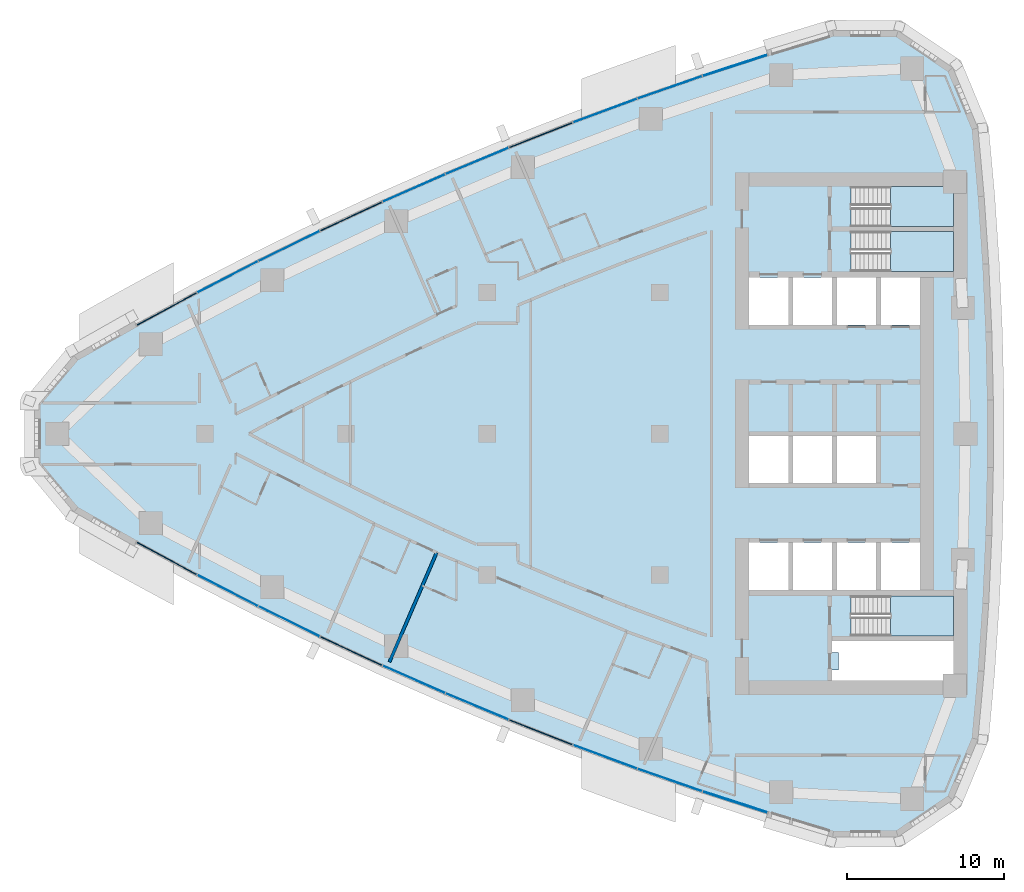
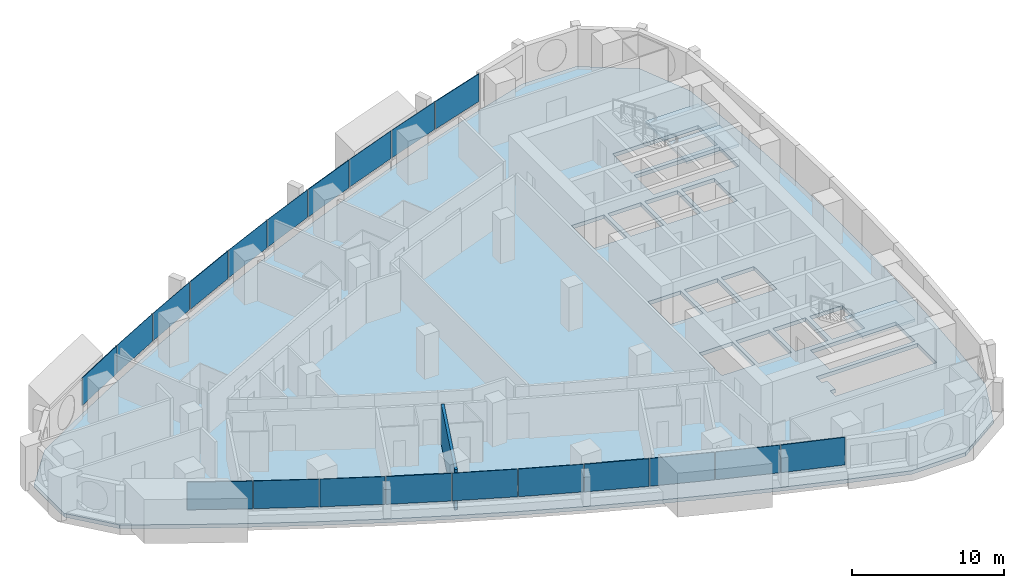
# One storey, part 7 of 17: 20 plates, 4 slabs, 1 wall, 1 opening, 13 elements without a shape of their own.
"""IFC4 building model written with IfcOpenShell, lengths in metres."""

import ifcopenshell
import ifcopenshell.guid

model = None  # the IFC model being written
_history = None  # IfcOwnerHistory: only IFC2X3 demands one
_inside = {}  # id of a spatial element -> (the spatial element, [elements in it])
_under = {}  # id of a project, library or spatial element -> (it, [spatial elements below it])
_declared = {}  # id of a project -> (the project, [libraries it declares])
_typed = {}  # id of a type object -> (the type object, [elements of that type])
_made_of = {}  # id of a material, layer set ... -> (it, [elements and type objects made of it])


def new_model(schema):
    """Start an empty IFC model of exactly this schema.

    Asked for "IFC4X3", IfcOpenShell would pick the latest addendum, in which some entities
    have other attributes; the version numbers below select the first issue.
    IFC2X3 requires an IfcOwnerHistory on every rooted entity: one is made here for all.
    """
    global model, _history
    if schema == "IFC4X3":
        model = ifcopenshell.file(schema_version=(4, 3, 0, 0))
    else:
        model = ifcopenshell.file(schema=schema)
    _inside.clear()
    _under.clear()
    _declared.clear()
    _typed.clear()
    _made_of.clear()
    _history = None
    if model.schema == "IFC2X3":
        org = make("IfcOrganization", Name="unknown")
        user = make(
            "IfcPersonAndOrganization",
            ThePerson=make("IfcPerson", FamilyName="unknown"),
            TheOrganization=org,
        )
        app = make(
            "IfcApplication",
            ApplicationDeveloper=org,
            Version="unknown",
            ApplicationFullName="unknown",
            ApplicationIdentifier="unknown",
        )
        _history = make(
            "IfcOwnerHistory",
            OwningUser=user,
            OwningApplication=app,
            ChangeAction="ADDED",
            CreationDate=0,
        )
    return model


def make(cls, **values):
    """One entity of the class cls with the attributes given. An attribute that is None is left unset."""
    return model.create_entity(
        cls, **{name: value for name, value in values.items() if value is not None}
    )


def rooted(cls, **values):
    """An entity with a GlobalId (a new one), such as an element, a storey or a relation."""
    return make(cls, GlobalId=ifcopenshell.guid.new(), OwnerHistory=_history, **values)


def si_unit(unit_type, name, prefix=None):
    """IfcSIUnit, for example si_unit("LENGTHUNIT", "METRE", prefix="MILLI")."""
    return make("IfcSIUnit", UnitType=unit_type, Prefix=prefix, Name=name)


def assignment(units):
    """IfcUnitAssignment: the units of a project."""
    return None if units is None else make("IfcUnitAssignment", Units=units)


def point(xyz):
    """IfcCartesianPoint."""
    return None if xyz is None else make("IfcCartesianPoint", Coordinates=xyz)


def direction(xyz):
    """IfcDirection."""
    return None if xyz is None else make("IfcDirection", DirectionRatios=xyz)


def frame(location, z_axis=None, x_axis=None):
    """IfcAxis2Placement3D, a coordinate frame: its origin and axes. An axis left out is left unset."""
    return make(
        "IfcAxis2Placement3D",
        Location=point(location),
        Axis=direction(z_axis),
        RefDirection=direction(x_axis),
    )


def frame_2d(location, x_axis=None):
    """IfcAxis2Placement2D, a coordinate frame in the plane: its origin and x axis."""
    return make(
        "IfcAxis2Placement2D", Location=point(location), RefDirection=direction(x_axis)
    )


def origin():
    """The frame at (0, 0, 0) with its axes left unset."""
    return frame((0.0, 0.0, 0.0))


def origin_2d():
    """The frame at (0, 0) in the plane with its x axis left unset."""
    return frame_2d((0.0, 0.0))


def place(relative_to, where):
    """IfcLocalPlacement: puts the frame where relative to a parent placement (None: the world)."""
    return make(
        "IfcLocalPlacement", PlacementRelTo=relative_to, RelativePlacement=where
    )


def context(
    kind, dimensions, precision=None, world=None, true_north=None, identifier=None
):
    """IfcGeometricRepresentationContext, for example the 3D "Model" context."""
    return make(
        "IfcGeometricRepresentationContext",
        ContextIdentifier=identifier,
        ContextType=kind,
        CoordinateSpaceDimension=dimensions,
        Precision=precision,
        WorldCoordinateSystem=world,
        TrueNorth=true_north,
    )


def subcontext(parent, identifier, kind, view, scale=None):
    """IfcGeometricRepresentationSubContext, for example "Body" below "Model"."""
    return make(
        "IfcGeometricRepresentationSubContext",
        ContextIdentifier=identifier,
        ContextType=kind,
        ParentContext=parent,
        TargetScale=scale,
        TargetView=view,
    )


def project(units=None, contexts=None):
    """IfcProject with its units and contexts."""
    return rooted(
        "IfcProject",
        Name="project",
        RepresentationContexts=contexts,
        UnitsInContext=assignment(units),
    )


def spatial(cls, under=None, at=None, **own):
    """A site, building, storey or space (cls), placed at a placement, below another one or the project."""
    s = rooted(cls, ObjectPlacement=at, **own)
    if under is not None:
        _under.setdefault(under.id(), (under, []))[1].append(s)
    return s


def polyline(points):
    """IfcPolyline through the points."""
    return make("IfcPolyline", Points=[point(p) for p in points])


def profile(cls, at=None, kind="AREA", **sizes):
    """A parametric profile (cls). Its sizes go by their IFC names, for example OverallWidth=200.0."""
    return make(cls, ProfileType=kind, Position=at, **sizes)


def rectangle(**sizes):
    """IfcRectangleProfileDef."""
    return profile("IfcRectangleProfileDef", **sizes)


def outline(outer, holes=None, kind="AREA"):
    """IfcArbitraryClosedProfileDef: a profile drawn as a closed curve; with holes, ...WithVoids."""
    if holes is None:
        return make("IfcArbitraryClosedProfileDef", ProfileType=kind, OuterCurve=outer)
    return make(
        "IfcArbitraryProfileDefWithVoids",
        ProfileType=kind,
        OuterCurve=outer,
        InnerCurves=holes,
    )


def extrude(swept, where, along, depth):
    """IfcExtrudedAreaSolid: the profile swept, set in the frame where, extruded along a direction by depth."""
    return make(
        "IfcExtrudedAreaSolid",
        SweptArea=swept,
        Position=where,
        ExtrudedDirection=direction(along),
        Depth=depth,
    )


def shape(context_of_items, identifier, shape_type, items):
    """IfcShapeRepresentation: the items that make up one representation, for example the "Body"."""
    return make(
        "IfcShapeRepresentation",
        ContextOfItems=context_of_items,
        RepresentationIdentifier=identifier,
        RepresentationType=shape_type,
        Items=items,
    )


def material(Name=None, Category=None):
    """IfcMaterial."""
    return make("IfcMaterial", Name=Name, Category=Category)


def layer(
    of_material, thickness, ventilated=None, Name=None, Category=None, Priority=None
):
    """IfcMaterialLayer: one layer of a wall or slab, of a material (None: an air gap)."""
    return make(
        "IfcMaterialLayer",
        Material=of_material,
        LayerThickness=thickness,
        IsVentilated=ventilated,
        Name=Name,
        Category=Category,
        Priority=Priority,
    )


def layer_set(layers, Name=None):
    """IfcMaterialLayerSet."""
    return make("IfcMaterialLayerSet", MaterialLayers=layers, LayerSetName=Name)


def made_of(thing, what):
    """Note that an element or type object is made of a material, layer set ...; save() writes the relation."""
    if what is not None:
        _made_of.setdefault(what.id(), (what, []))[1].append(thing)
    return thing


def type_object(cls, material=None, **own):
    """A type object (cls), such as IfcWallType, which elements share."""
    return made_of(rooted(cls, **own), material)


def element(
    cls,
    number,
    at=None,
    inside=None,
    cuts=None,
    type_object=None,
    material=None,
    context=None,
    identifier="Body",
    shape_type=None,
    held_by="IfcProductDefinitionShape",
    body=None,
    shapes=None,
    **own,
):
    """One element of the class cls, such as IfcWall. Its Tag is "e" and its number.

    at: its placement. inside: the storey or other place that contains it. cuts: it is an
    opening in that element (IfcRelVoidsElement). A single representation is given by context,
    identifier, shape_type and body (its items); several are given by shapes. held_by: the class
    of the entity that holds the representations. save() writes the other relations.
    """
    e = rooted(cls, Tag="e%d" % number, ObjectPlacement=at, **own)
    if body is not None:
        shapes = [shape(context, identifier, shape_type, body)]
    if shapes is not None:
        e.Representation = make(held_by, Representations=shapes)
    if inside is not None:
        _inside.setdefault(inside.id(), (inside, []))[1].append(e)
    if cuts is not None:
        rooted(
            "IfcRelVoidsElement", RelatingBuildingElement=cuts, RelatedOpeningElement=e
        )
    if type_object is not None:
        _typed.setdefault(type_object.id(), (type_object, []))[1].append(e)
    return made_of(e, material)


def aggregate(whole, parts):
    """IfcRelAggregates: a whole, such as a stair, and the parts it consists of."""
    return rooted("IfcRelAggregates", RelatingObject=whole, RelatedObjects=parts)


def save(model, path):
    """Write the relations noted so far, then the file.

    IfcRelAggregates (storeys below a building ...), IfcRelContainedInSpatialStructure (elements
    in a storey), IfcRelDefinesByType, IfcRelAssociatesMaterial and IfcRelDeclares: one each for
    every whole, place, type object, material and project.
    """
    for whole, parts in _under.values():
        aggregate(whole, parts)
    for where, things in _inside.values():
        rooted(
            "IfcRelContainedInSpatialStructure",
            RelatedElements=things,
            RelatingStructure=where,
        )
    for kind, things in _typed.values():
        rooted("IfcRelDefinesByType", RelatedObjects=things, RelatingType=kind)
    for what, things in _made_of.values():
        rooted("IfcRelAssociatesMaterial", RelatedObjects=things, RelatingMaterial=what)
    for by, libraries in _declared.values():
        rooted("IfcRelDeclares", RelatingContext=by, RelatedDefinitions=libraries)
    model.write(path)


model = new_model("IFC4")

# Units and contexts
model_context = context("Model", 3, precision=1e-05, world=origin(), true_north=direction((0.0, 1.0)))
body_context = subcontext(model_context, "Body", "Model", "MODEL_VIEW")
ifc_project = project(units=[si_unit("LENGTHUNIT", "METRE"), si_unit("AREAUNIT", "SQUARE_METRE"), si_unit("VOLUMEUNIT", "CUBIC_METRE"), si_unit("PLANEANGLEUNIT", "RADIAN"), si_unit("MASSUNIT", "GRAM", prefix="KILO")], contexts=[model_context])

# Site, building, storey
site_placement = place(None, origin())
site = spatial("IfcSite", under=ifc_project, at=site_placement, CompositionType="ELEMENT")
building_placement = place(site_placement, origin())
building = spatial("IfcBuilding", under=site, at=building_placement, Name="Ostrand Prow Hotel Tower", CompositionType="ELEMENT")
storey_placement = place(building_placement, frame((0.0, 0.0, 130.199951171875)))
storey = spatial("IfcBuildingStorey", under=building, at=storey_placement, Name="L31", CompositionType="ELEMENT", Elevation=130.199951171875)

# Curtain wall, plate
ifc_material_1 = material(Name="Insulated glass in bronze anodised frame", Category="glass")
ifc_layer_1 = layer(ifc_material_1, 0.199951171875)
ifc_layer_set_1 = layer_set([ifc_layer_1], Name="Insulated glass in bronze anodised frame")
curtain_wall_type = type_object("IfcCurtainWallType", Name="Strip curtain wall, fritted glass over bronze spandrel", PredefinedType="NOTDEFINED", material=ifc_layer_set_1)
curtain_wall_1_placement = place(storey_placement, origin())
curtain_wall_1 = element("IfcCurtainWall", 1, at=curtain_wall_1_placement, inside=storey, type_object=curtain_wall_type, Name="CW1 run CWS1", PredefinedType="NOTDEFINED")
ifc_material_2 = material(Name="Ceramic-fritted glass", Category="glass")
ifc_layer_2 = layer(ifc_material_2, 0.031982421875)
ifc_layer_set_2 = layer_set([ifc_layer_2], Name="Ceramic-fritted glass")
plate_type_1 = type_object("IfcPlateType", Name="Dot-fritted ceramic glass unit 32 mm", PredefinedType="CURTAIN_PANEL", material=ifc_layer_set_2)
plate_1_placement = place(storey_placement, frame((17.45166015625, -9.998046875, 1.02001953125), z_axis=(0.0, 0.0, 1.0), x_axis=(0.889148164146, -0.457619429434, 0.0)))
plate_1 = element("IfcPlate", 2, at=plate_1_placement, type_object=plate_type_1, Name="CW1 PN-D panel 2.2", PredefinedType="CURTAIN_PANEL", context=body_context, shape_type="SweptSolid", body=[
    extrude(rectangle(XDim=4.326171875, YDim=0.031982421875, at=origin_2d()), origin(), (0.0, 0.0, 1.0), 2.22998046875),
])

curtain_wall_2_placement = place(storey_placement, origin())
curtain_wall_2 = element("IfcCurtainWall", 3, at=curtain_wall_2_placement, inside=storey, type_object=curtain_wall_type, Name="CW1 run CWS2", PredefinedType="NOTDEFINED")
plate_2_placement = place(storey_placement, frame((21.371337890625, -11.9658203125, 1.02001953125), z_axis=(0.0, 0.0, 1.0), x_axis=(0.898164975061, -0.439658592061, 0.0)))
plate_2 = element("IfcPlate", 4, at=plate_2_placement, type_object=plate_type_1, Name="CW1 PN-D panel 1.2", PredefinedType="CURTAIN_PANEL", context=body_context, shape_type="SweptSolid", body=[
    extrude(rectangle(XDim=4.326171875, YDim=0.031982421875, at=origin_2d()), origin(), (0.0, 0.0, 1.0), 2.22998046875),
])

# Curtain wall, plates
curtain_wall_3_placement = place(storey_placement, origin())
curtain_wall_3 = element("IfcCurtainWall", 5, at=curtain_wall_3_placement, inside=storey, type_object=curtain_wall_type, Name="CW1 run CWS3", PredefinedType="NOTDEFINED")
plate_3_placement = place(storey_placement, frame((29.3251953125, -15.6630859375, 1.02001953125), z_axis=(0.0, 0.0, 1.0), x_axis=(0.915106105993, -0.403213113347, 0.0)))
plate_3 = element("IfcPlate", 6, at=plate_3_placement, type_object=plate_type_1, Name="CW1 PN-D panel 1.2", PredefinedType="CURTAIN_PANEL", context=body_context, shape_type="SweptSolid", body=[
    extrude(rectangle(XDim=4.326171875, YDim=0.031982421875, at=origin_2d()), origin(), (0.0, 0.0, 1.0), 2.22998046875),
])
plate_4_placement = place(storey_placement, frame((33.3564453125, -17.39111328125, 1.02001953125), z_axis=(0.0, 0.0, 1.0), x_axis=(0.92302364777, -0.384743220418, 0.0)))
plate_4 = element("IfcPlate", 7, at=plate_4_placement, type_object=plate_type_1, Name="CW1 PN-D panel 2.2", PredefinedType="CURTAIN_PANEL", context=body_context, shape_type="SweptSolid", body=[
    extrude(rectangle(XDim=4.326171875, YDim=0.031982421875, at=origin_2d()), origin(), (0.0, 0.0, 1.0), 2.22998046875),
])
aggregate(curtain_wall_3, [plate_3, plate_4])

# Curtain wall, plate
curtain_wall_4_placement = place(storey_placement, origin())
curtain_wall_4 = element("IfcCurtainWall", 8, at=curtain_wall_4_placement, inside=storey, type_object=curtain_wall_type, Name="CW1 run CWS4", PredefinedType="NOTDEFINED")
plate_5_placement = place(storey_placement, frame((41.518798828125, -20.6025390625, 1.02001953125), z_axis=(0.0, 0.0, 1.0), x_axis=(0.937738678558, -0.347341576459, 0.0)))
plate_5 = element("IfcPlate", 9, at=plate_5_placement, type_object=plate_type_1, Name="CW1 PN-D panel 2.2", PredefinedType="CURTAIN_PANEL", context=body_context, shape_type="SweptSolid", body=[
    extrude(rectangle(XDim=4.326171875, YDim=0.031982421875, at=origin_2d()), origin(), (0.0, 0.0, 1.0), 2.22998046875),
])

curtain_wall_5_placement = place(storey_placement, origin())
curtain_wall_5 = element("IfcCurtainWall", 10, at=curtain_wall_5_placement, inside=storey, type_object=curtain_wall_type, Name="CW1 run CWS5", PredefinedType="NOTDEFINED")
plate_6_placement = place(storey_placement, frame((45.646484375, -22.08447265625, 1.02001953125), z_axis=(0.0, 0.0, 1.0), x_axis=(0.944528947293, -0.328428177424, 0.0)))
plate_6 = element("IfcPlate", 11, at=plate_6_placement, type_object=plate_type_1, Name="CW1 PN-D panel 1.2", PredefinedType="CURTAIN_PANEL", context=body_context, shape_type="SweptSolid", body=[
    extrude(rectangle(XDim=4.326171875, YDim=0.031982421875, at=origin_2d()), origin(), (0.0, 0.0, 1.0), 2.22998046875),
])

curtain_wall_6_placement = place(storey_placement, origin())
curtain_wall_6 = element("IfcCurtainWall", 12, at=curtain_wall_6_placement, inside=storey, type_object=curtain_wall_type, Name="CW1 run CWN1", PredefinedType="NOTDEFINED")
plate_7_placement = place(storey_placement, frame((45.646484375, 22.08447265625, 1.02001953125), z_axis=(0.0, 0.0, 1.0), x_axis=(-0.944528947293, -0.328428177424, 0.0)))
plate_7 = element("IfcPlate", 13, at=plate_7_placement, type_object=plate_type_1, Name="CW1 PN-D panel 2.2", PredefinedType="CURTAIN_PANEL", context=body_context, shape_type="SweptSolid", body=[
    extrude(rectangle(XDim=4.326171875, YDim=0.031982421875, at=origin_2d()), origin(), (0.0, 0.0, 1.0), 2.22998046875),
])

curtain_wall_7_placement = place(storey_placement, origin())
curtain_wall_7 = element("IfcCurtainWall", 14, at=curtain_wall_7_placement, inside=storey, type_object=curtain_wall_type, Name="CW1 run CWN2", PredefinedType="NOTDEFINED")
plate_8_placement = place(storey_placement, frame((41.518798828125, 20.6025390625, 1.02001953125), z_axis=(0.0, 0.0, 1.0), x_axis=(-0.937738678558, -0.347341576459, 0.0)))
plate_8 = element("IfcPlate", 15, at=plate_8_placement, type_object=plate_type_1, Name="CW1 PN-D panel 1.2", PredefinedType="CURTAIN_PANEL", context=body_context, shape_type="SweptSolid", body=[
    extrude(rectangle(XDim=4.326171875, YDim=0.031982421875, at=origin_2d()), origin(), (0.0, 0.0, 1.0), 2.22998046875),
])

# Curtain wall, plates
curtain_wall_8_placement = place(storey_placement, origin())
curtain_wall_8 = element("IfcCurtainWall", 16, at=curtain_wall_8_placement, inside=storey, type_object=curtain_wall_type, Name="CW1 run CWN3", PredefinedType="NOTDEFINED")
plate_9_placement = place(storey_placement, frame((33.3564453125, 17.39111328125, 1.02001953125), z_axis=(0.0, 0.0, 1.0), x_axis=(-0.92302364777, -0.384743220418, 0.0)))
plate_9 = element("IfcPlate", 17, at=plate_9_placement, type_object=plate_type_1, Name="CW1 PN-D panel 1.2", PredefinedType="CURTAIN_PANEL", context=body_context, shape_type="SweptSolid", body=[
    extrude(rectangle(XDim=4.326171875, YDim=0.031982421875, at=origin_2d()), origin(), (0.0, 0.0, 1.0), 2.22998046875),
])
plate_10_placement = place(storey_placement, frame((29.3251953125, 15.6630859375, 1.02001953125), z_axis=(0.0, 0.0, 1.0), x_axis=(-0.915106105993, -0.403213113347, 0.0)))
plate_10 = element("IfcPlate", 18, at=plate_10_placement, type_object=plate_type_1, Name="CW1 PN-D panel 2.2", PredefinedType="CURTAIN_PANEL", context=body_context, shape_type="SweptSolid", body=[
    extrude(rectangle(XDim=4.326171875, YDim=0.031982421875, at=origin_2d()), origin(), (0.0, 0.0, 1.0), 2.22998046875),
])
aggregate(curtain_wall_8, [plate_9, plate_10])

# Curtain wall, plate
curtain_wall_9_placement = place(storey_placement, origin())
curtain_wall_9 = element("IfcCurtainWall", 19, at=curtain_wall_9_placement, inside=storey, type_object=curtain_wall_type, Name="CW1 run CWN4", PredefinedType="NOTDEFINED")
plate_11_placement = place(storey_placement, frame((21.371337890625, 11.9658203125, 1.02001953125), z_axis=(0.0, 0.0, 1.0), x_axis=(-0.898164975061, -0.439658592061, 0.0)))
plate_11 = element("IfcPlate", 20, at=plate_11_placement, type_object=plate_type_1, Name="CW1 PN-D panel 2.2", PredefinedType="CURTAIN_PANEL", context=body_context, shape_type="SweptSolid", body=[
    extrude(rectangle(XDim=4.326171875, YDim=0.031982421875, at=origin_2d()), origin(), (0.0, 0.0, 1.0), 2.22998046875),
])

curtain_wall_10_placement = place(storey_placement, origin())
curtain_wall_10 = element("IfcCurtainWall", 21, at=curtain_wall_10_placement, inside=storey, type_object=curtain_wall_type, Name="CW1 run CWN5", PredefinedType="NOTDEFINED")
plate_12_placement = place(storey_placement, frame((17.45166015625, 9.998046875, 1.02001953125), z_axis=(0.0, 0.0, 1.0), x_axis=(-0.889148164146, -0.457619429434, 0.0)))
plate_12 = element("IfcPlate", 22, at=plate_12_placement, type_object=plate_type_1, Name="CW1 PN-D panel 1.2", PredefinedType="CURTAIN_PANEL", context=body_context, shape_type="SweptSolid", body=[
    extrude(rectangle(XDim=4.326171875, YDim=0.031982421875, at=origin_2d()), origin(), (0.0, 0.0, 1.0), 2.22998046875),
])

# Plate
ifc_material_3 = material(Name="Fritted glass in bronze vent frame", Category="glass")
ifc_layer_3 = layer(ifc_material_3, 0.06005859375)
ifc_layer_set_3 = layer_set([ifc_layer_3], Name="Fritted glass in bronze vent frame")
plate_type_2 = type_object("IfcPlateType", Name="Operable vent panel 60 mm", PredefinedType="CURTAIN_PANEL", material=ifc_layer_set_3)
plate_13_placement = place(storey_placement, frame((13.572509765625, -7.951904296875, 1.02001953125), z_axis=(0.0, 0.0, 1.0), x_axis=(0.879773060847, -0.475393901316, 0.0)))
plate_13 = element("IfcPlate", 23, at=plate_13_placement, type_object=plate_type_2, Name="CW1 PN-O panel 1.2", PredefinedType="CURTAIN_PANEL", context=body_context, shape_type="SweptSolid", body=[
    extrude(rectangle(XDim=4.326171875, YDim=0.06005859375, at=origin_2d()), origin(), (0.0, 0.0, 1.0), 2.22998046875),
])

aggregate(curtain_wall_1, [plate_13, plate_1])

plate_14_placement = place(storey_placement, frame((25.329833984375, -13.8544921875, 1.02001953125), z_axis=(0.0, 0.0, 1.0), x_axis=(0.906818286337, -0.421521761673, 0.0)))
plate_14 = element("IfcPlate", 24, at=plate_14_placement, type_object=plate_type_2, Name="CW1 PN-O panel 2.2", PredefinedType="CURTAIN_PANEL", context=body_context, shape_type="SweptSolid", body=[
    extrude(rectangle(XDim=4.326171875, YDim=0.06005859375, at=origin_2d()), origin(), (0.0, 0.0, 1.0), 2.22998046875),
])

aggregate(curtain_wall_2, [plate_2, plate_14])

plate_15_placement = place(storey_placement, frame((37.42138671875, -19.037841796875, 1.02001953125), z_axis=(0.0, 0.0, 1.0), x_axis=(0.930569089059, -0.366116334636, 0.0)))
plate_15 = element("IfcPlate", 25, at=plate_15_placement, type_object=plate_type_2, Name="CW1 PN-O panel 1.2", PredefinedType="CURTAIN_PANEL", context=body_context, shape_type="SweptSolid", body=[
    extrude(rectangle(XDim=4.326171875, YDim=0.06005859375, at=origin_2d()), origin(), (0.0, 0.0, 1.0), 2.22998046875),
])

aggregate(curtain_wall_4, [plate_15, plate_5])

plate_16_placement = place(storey_placement, frame((49.803466796875, -23.483154296875, 1.02001953125), z_axis=(0.0, 0.0, 1.0), x_axis=(0.950938332153, -0.309380491373, 0.0)))
plate_16 = element("IfcPlate", 26, at=plate_16_placement, type_object=plate_type_2, Name="CW1 PN-O panel 2.2", PredefinedType="CURTAIN_PANEL", context=body_context, shape_type="SweptSolid", body=[
    extrude(rectangle(XDim=4.326171875, YDim=0.06005859375, at=origin_2d()), origin(), (0.0, 0.0, 1.0), 2.22998046875),
])

aggregate(curtain_wall_5, [plate_6, plate_16])

plate_17_placement = place(storey_placement, frame((49.803466796875, 23.483154296875, 1.02001953125), z_axis=(0.0, 0.0, 1.0), x_axis=(-0.950938332153, -0.309380491373, 0.0)))
plate_17 = element("IfcPlate", 27, at=plate_17_placement, type_object=plate_type_2, Name="CW1 PN-O panel 1.2", PredefinedType="CURTAIN_PANEL", context=body_context, shape_type="SweptSolid", body=[
    extrude(rectangle(XDim=4.326171875, YDim=0.06005859375, at=origin_2d()), origin(), (0.0, 0.0, 1.0), 2.22998046875),
])

aggregate(curtain_wall_6, [plate_17, plate_7])

plate_18_placement = place(storey_placement, frame((37.42138671875, 19.037841796875, 1.02001953125), z_axis=(0.0, 0.0, 1.0), x_axis=(-0.930569089059, -0.366116334636, 0.0)))
plate_18 = element("IfcPlate", 28, at=plate_18_placement, type_object=plate_type_2, Name="CW1 PN-O panel 2.2", PredefinedType="CURTAIN_PANEL", context=body_context, shape_type="SweptSolid", body=[
    extrude(rectangle(XDim=4.326171875, YDim=0.06005859375, at=origin_2d()), origin(), (0.0, 0.0, 1.0), 2.22998046875),
])

aggregate(curtain_wall_7, [plate_8, plate_18])

plate_19_placement = place(storey_placement, frame((25.329833984375, 13.8544921875, 1.02001953125), z_axis=(0.0, 0.0, 1.0), x_axis=(-0.906818286337, -0.421521761673, 0.0)))
plate_19 = element("IfcPlate", 29, at=plate_19_placement, type_object=plate_type_2, Name="CW1 PN-O panel 1.2", PredefinedType="CURTAIN_PANEL", context=body_context, shape_type="SweptSolid", body=[
    extrude(rectangle(XDim=4.326171875, YDim=0.06005859375, at=origin_2d()), origin(), (0.0, 0.0, 1.0), 2.22998046875),
])

aggregate(curtain_wall_9, [plate_19, plate_11])

plate_20_placement = place(storey_placement, frame((13.572509765625, 7.951904296875, 1.02001953125), z_axis=(0.0, 0.0, 1.0), x_axis=(-0.879773060847, -0.475393901316, 0.0)))
plate_20 = element("IfcPlate", 30, at=plate_20_placement, type_object=plate_type_2, Name="CW1 PN-O panel 2.2", PredefinedType="CURTAIN_PANEL", context=body_context, shape_type="SweptSolid", body=[
    extrude(rectangle(XDim=4.326171875, YDim=0.06005859375, at=origin_2d()), origin(), (0.0, 0.0, 1.0), 2.22998046875),
])

aggregate(curtain_wall_10, [plate_12, plate_20])

# Slab, opening
ifc_material_4 = material(Name="Concrete C40/50", Category="concrete")
ifc_layer_4 = layer(ifc_material_4, 0.300048828125)
ifc_layer_set_4 = layer_set([ifc_layer_4], Name="Concrete C40/50")
slab_type_1 = type_object("IfcSlabType", Name="PT flat plate 300 C40/50", PredefinedType="FLOOR", material=ifc_layer_set_4)
slab_1_placement = place(storey_placement, frame((0.0, 0.0, -0.300048828125)))
slab_1 = element("IfcSlab", 31, at=slab_1_placement, inside=storey, type_object=slab_type_1, Name="Floor slab L31-1", PredefinedType="FLOOR", context=body_context, shape_type="SweptSolid", body=[
    extrude(outline(polyline([(7.658203125, 4.952880859375), (11.51611328125, 7.138916015625), (15.37939453125, 9.2265625), (19.283935546875, 11.236083984375), (23.228271484375, 13.166748046875), (27.210205078125, 15.017822265625), (31.22900390625, 16.788330078125), (35.2822265625, 18.47802734375), (39.36865234375, 20.085693359375), (43.486572265625, 21.611083984375), (47.63427734375, 23.05322265625), (51.810302734375, 24.411865234375), (56.046630859375, 25.696533203125), (60.193115234375, 25.6640625), (63.664306640625, 23.328125), (65.256103515625, 19.498779296875), (65.650390625, 15.148681640625), (65.944091796875, 10.825927734375), (66.139892578125, 6.497802734375), (66.23779296875, 2.166259765625), (66.23779296875, -2.166259765625), (66.139892578125, -6.497802734375), (65.944091796875, -10.825927734375), (65.650390625, -15.148681640625), (65.256103515625, -19.498779296875), (63.664306640625, -23.328125), (60.193115234375, -25.6640625), (56.046630859375, -25.696533203125), (51.810302734375, -24.411865234375), (47.63427734375, -23.05322265625), (43.486572265625, -21.611083984375), (39.36865234375, -20.085693359375), (35.2822265625, -18.47802734375), (31.22900390625, -16.788330078125), (27.210205078125, -15.017822265625), (23.228271484375, -13.166748046875), (19.283935546875, -11.236083984375), (15.37939453125, -9.2265625), (11.51611328125, -7.138916015625), (7.658203125, -4.952880859375), (5.16064453125, -1.968505859375), (5.16064453125, 1.968505859375), (7.658203125, 4.952880859375)]), holes=[polyline([(50.699951171875, 6.949951171875), (53.199951171875, 6.949951171875), (53.199951171875, 9.949951171875), (50.699951171875, 9.949951171875), (50.699951171875, 6.949951171875)]), polyline([(53.5, 6.949951171875), (56.0, 6.949951171875), (56.0, 9.949951171875), (53.5, 9.949951171875), (53.5, 6.949951171875)]), polyline([(56.300048828125, 6.949951171875), (58.800048828125, 6.949951171875), (58.800048828125, 9.949951171875), (56.300048828125, 9.949951171875), (56.300048828125, 6.949951171875)]), polyline([(59.10009765625, 6.949951171875), (61.60009765625, 6.949951171875), (61.60009765625, 9.949951171875), (59.10009765625, 9.949951171875), (59.10009765625, 6.949951171875)]), polyline([(50.699951171875, -3.14990234375), (53.199951171875, -3.14990234375), (53.199951171875, -0.14990234375), (50.699951171875, -0.14990234375), (50.699951171875, -3.14990234375)]), polyline([(53.5, -3.14990234375), (56.0, -3.14990234375), (56.0, -0.14990234375), (53.5, -0.14990234375), (53.5, -3.14990234375)]), polyline([(56.300048828125, -3.14990234375), (58.800048828125, -3.14990234375), (58.800048828125, -0.14990234375), (56.300048828125, -0.14990234375), (56.300048828125, -3.14990234375)]), polyline([(50.699951171875, -9.949951171875), (53.199951171875, -9.949951171875), (53.199951171875, -6.949951171875), (50.699951171875, -6.949951171875), (50.699951171875, -9.949951171875)]), polyline([(53.5, -9.949951171875), (56.0, -9.949951171875), (56.0, -6.949951171875), (53.5, -6.949951171875), (53.5, -9.949951171875)]), polyline([(56.300048828125, -9.949951171875), (58.800048828125, -9.949951171875), (58.800048828125, -6.949951171875), (56.300048828125, -6.949951171875), (56.300048828125, -9.949951171875)]), polyline([(59.10009765625, -9.949951171875), (61.60009765625, -9.949951171875), (61.60009765625, -6.949951171875), (59.10009765625, -6.949951171875), (59.10009765625, -9.949951171875)]), polyline([(57.200927734375, 10.35107421875), (57.200927734375, 12.89892578125), (63.718994140625, 12.89892578125), (63.718994140625, 10.35107421875), (57.200927734375, 10.35107421875)]), polyline([(57.200927734375, 13.200927734375), (57.200927734375, 15.7490234375), (63.718994140625, 15.7490234375), (63.718994140625, 13.200927734375), (57.200927734375, 13.200927734375)]), polyline([(57.200927734375, -12.89892578125), (57.200927734375, -10.35107421875), (63.718994140625, -10.35107421875), (63.718994140625, -12.89892578125), (57.200927734375, -12.89892578125)]), polyline([(56.0, -13.199951171875), (63.719970703125, -13.199951171875), (63.719970703125, -15.75), (56.0, -15.75), (56.0, -15.050048828125), (56.39990234375, -15.050048828125), (56.39990234375, -13.949951171875), (56.0, -13.949951171875), (56.0, -13.199951171875)])]), origin(), (0.0, 0.0, 1.0), 0.300048828125),
])
opening_placement = place(slab_1_placement, origin())
element("IfcOpeningElement", 32, at=opening_placement, cuts=slab_1, Name="Shaft opening 1", PredefinedType="OPENING", context=body_context, shape_type="SweptSolid", body=[
    extrude(outline(polyline([(56.0, -13.199951171875), (63.719970703125, -13.199951171875), (63.719970703125, -15.75), (56.0, -15.75), (56.0, -15.050048828125), (56.39990234375, -15.050048828125), (56.39990234375, -13.949951171875), (56.0, -13.949951171875), (56.0, -13.199951171875)])), origin(), (0.0, 0.0, 1.0), 0.300048828125),
])

# Stair, slab
ifc_material_5 = material(Name="Concrete C40/50", Category="concrete")
stair_type = type_object("IfcStairType", Name="Exit stair 1200 upper zone", PredefinedType="HALF_TURN_STAIR", material=ifc_material_5)
stair_1_placement = place(storey_placement, origin())
stair_1 = element("IfcStair", 33, at=stair_1_placement, inside=storey, type_object=stair_type, Name="L31 ST1C", PredefinedType="HALF_TURN_STAIR")
ifc_material_6 = material(Name="Concrete C40/50", Category="concrete")
ifc_layer_5 = layer(ifc_material_6, 0.199951171875)
ifc_layer_set_5 = layer_set([ifc_layer_5], Name="Concrete C40/50")
slab_type_2 = type_object("IfcSlabType", Name="Stair landing 200 concrete", PredefinedType="LANDING", material=ifc_layer_set_5)
slab_2_placement = place(storey_placement, frame((0.0, 0.0, 1.574951171875)))
slab_2 = element("IfcSlab", 34, at=slab_2_placement, type_object=slab_type_2, Name="ST1C landing 1", PredefinedType="LANDING", context=body_context, shape_type="SweptSolid", body=[
    extrude(outline(polyline([(59.719970703125, 10.35009765625), (63.719970703125, 10.35009765625), (63.719970703125, 12.89990234375), (59.719970703125, 12.89990234375), (59.719970703125, 10.35009765625)])), origin(), (0.0, 0.0, 1.0), 0.2001953125),
])
aggregate(stair_1, [slab_2])

stair_2_placement = place(storey_placement, origin())
stair_2 = element("IfcStair", 35, at=stair_2_placement, inside=storey, type_object=stair_type, Name="L31 ST3C", PredefinedType="HALF_TURN_STAIR")
slab_3_placement = place(storey_placement, frame((0.0, 0.0, 1.574951171875)))
slab_3 = element("IfcSlab", 36, at=slab_3_placement, type_object=slab_type_2, Name="ST3C landing 1", PredefinedType="LANDING", context=body_context, shape_type="SweptSolid", body=[
    extrude(outline(polyline([(59.719970703125, 13.199951171875), (63.719970703125, 13.199951171875), (63.719970703125, 15.75), (59.719970703125, 15.75), (59.719970703125, 13.199951171875)])), origin(), (0.0, 0.0, 1.0), 0.2001953125),
])
aggregate(stair_2, [slab_3])

stair_3_placement = place(storey_placement, origin())
stair_3 = element("IfcStair", 37, at=stair_3_placement, inside=storey, type_object=stair_type, Name="L31 ST2C", PredefinedType="HALF_TURN_STAIR")
slab_4_placement = place(storey_placement, frame((0.0, 0.0, 1.574951171875)))
slab_4 = element("IfcSlab", 38, at=slab_4_placement, type_object=slab_type_2, Name="ST2C landing 1", PredefinedType="LANDING", context=body_context, shape_type="SweptSolid", body=[
    extrude(outline(polyline([(59.719970703125, -12.89990234375), (63.719970703125, -12.89990234375), (63.719970703125, -10.35009765625), (59.719970703125, -10.35009765625), (59.719970703125, -12.89990234375)])), origin(), (0.0, 0.0, 1.0), 0.2001953125),
])
aggregate(stair_3, [slab_4])

# Wall
ifc_material_7 = material(Name="Plasterboard partition")
ifc_layer_6 = layer(ifc_material_7, 0.199951171875)
ifc_layer_set_6 = layer_set([ifc_layer_6], Name="Plasterboard partition")
wall_type = type_object("IfcWallType", Name="Partition 200 key partition", PredefinedType="PARTITIONING", material=ifc_layer_set_6)
wall_placement = place(storey_placement, frame((27.770751953125, -14.554443359375, 0.0), z_axis=(0.0, 0.0, 1.0), x_axis=(0.396004020147, 0.918248776763, 0.0)))
element("IfcWall", 39, at=wall_placement, inside=storey, type_object=wall_type, Name="KEY PARTITION", PredefinedType="PARTITIONING", context=body_context, shape_type="SweptSolid", body=[
    extrude(rectangle(XDim=7.600341796875, YDim=0.199951171875, at=frame_2d((3.80029296875, 0.0))), origin(), (0.0, 0.0, 1.0), 3.25),
])

save(model, "model.ifc")
